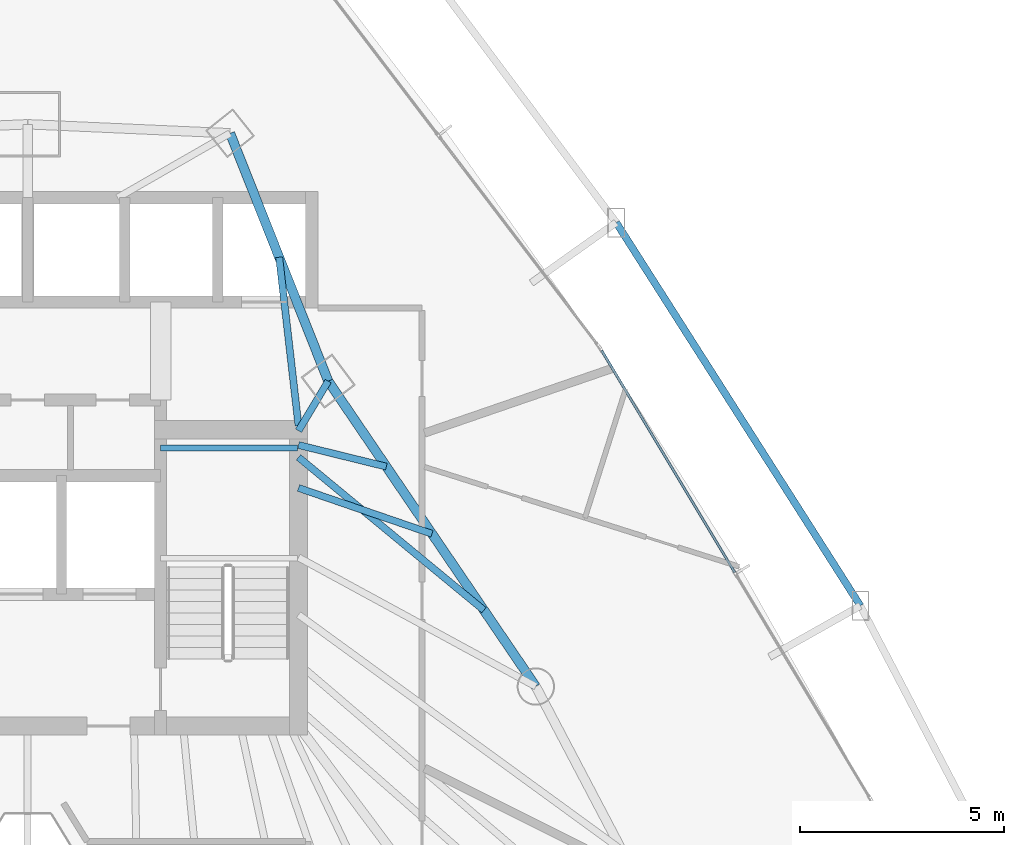
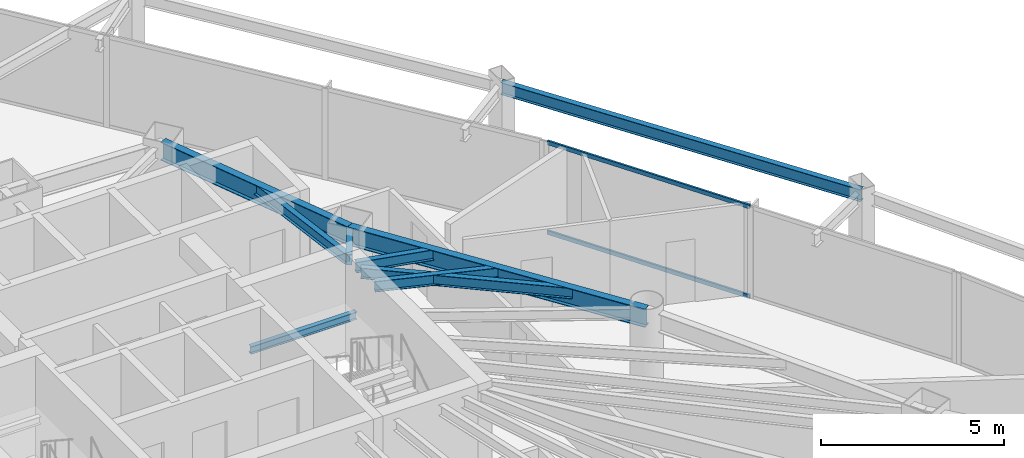
# One storey, part 26 of 35: 9 beams, 2 members, 1 element without a shape of its own.
"""IFC4 building model written with IfcOpenShell, lengths in metres."""

from ifc_helpers import new_model, si_unit, direction, frame, origin, origin_2d, place, context, subcontext, project, spatial, hollow_rectangle, i_section, extrude, material, layer, layer_set, material_profile, profile_set, type_object, element, aggregate, save


model = new_model("IFC4")

# Units and contexts
model_context = context("Model", 3, precision=1e-05, world=origin(), true_north=direction((0.0, 1.0)))
body_context = subcontext(model_context, "Body", "Model", "MODEL_VIEW")
ifc_project = project(units=[si_unit("LENGTHUNIT", "METRE"), si_unit("AREAUNIT", "SQUARE_METRE"), si_unit("VOLUMEUNIT", "CUBIC_METRE"), si_unit("PLANEANGLEUNIT", "RADIAN"), si_unit("MASSUNIT", "GRAM", prefix="KILO")], contexts=[model_context])

# Site, building, storey
site_placement = place(None, origin())
site = spatial("IfcSite", under=ifc_project, at=site_placement, CompositionType="ELEMENT")
building_placement = place(site_placement, origin())
building = spatial("IfcBuilding", under=site, at=building_placement, Name="Orvanel Arch Residences", CompositionType="ELEMENT")
storey_placement = place(building_placement, frame((0.0, 0.0, 36.800048828125)))
storey = spatial("IfcBuildingStorey", under=building, at=storey_placement, Name="L09", CompositionType="ELEMENT", Elevation=36.800048828125)

# Beams
ifc_material_1 = material(Name="Structural steel AS/NZS 3679.1 Grade 300 (300 MPa)", Category="steel")
ifc_material_profile_1 = material_profile(ifc_material_1, i_section(OverallWidth=0.14599609375, OverallDepth=0.251953125, WebThickness=0.006103515625, FlangeThickness=0.008544921875, at=origin_2d()), Name="250UB31.4")
ifc_profile_set_1 = profile_set([ifc_material_profile_1], Name="Structural steel AS/NZS 3679.1 Grade 300 (300 MPa)")
beam_type_1 = type_object("IfcBeamType", Name="BJ-250UB", PredefinedType="JOIST", material=ifc_profile_set_1)
beam_1_placement = place(storey_placement, frame((36.25, 33.47998046875, 1.323974609375), z_axis=(1.0, 0.0, 0.0), x_axis=(0.0, 1.0, 0.0)))
element("IfcBeam", 1, at=beam_1_placement, inside=storey, type_object=beam_type_1, Name="L09 ST-2 Half-Landing Support Beam 1.2", PredefinedType="JOIST", context=body_context, shape_type="SweptSolid", body=[
    extrude(i_section(OverallWidth=0.14599609375, OverallDepth=0.251953125, WebThickness=0.006103515625, FlangeThickness=0.008544921875, at=origin_2d()), origin(), (0.0, 0.0, 1.0), 3.35009765625),
])
ifc_material_profile_2 = material_profile(ifc_material_1, i_section(OverallWidth=0.1708984375, OverallDepth=0.35595703125, WebThickness=0.00732421875, FlangeThickness=0.011474609375, at=origin_2d()), Name="360UB50.7")
ifc_profile_set_2 = profile_set([ifc_material_profile_2], Name="Structural steel AS/NZS 3679.1 Grade 300 (300 MPa)")
beam_type_2 = type_object("IfcBeamType", Name="BJ-360UB", PredefinedType="JOIST", material=ifc_profile_set_2)
beam_2_placement = place(storey_placement, frame((39.625, 33.89990234375, 2.8818359375), z_axis=(0.514064138778, 0.857751748015, 0.0), x_axis=(-0.857751748015, 0.514064138778, 0.0)))
element("IfcBeam", 2, at=beam_2_placement, inside=storey, type_object=beam_type_2, Name="L09 NNE Wing Floor Joist", PredefinedType="JOIST", context=body_context, shape_type="SweptSolid", body=[
    extrude(i_section(OverallWidth=0.1708984375, OverallDepth=0.35595703125, WebThickness=0.00732421875, FlangeThickness=0.011474609375, at=origin_2d()), origin(), (0.0, 0.0, 1.0), 1.414306640625),
])
beam_3_placement = place(storey_placement, frame((39.625, 34.02001953125, 2.8818359375), z_axis=(-0.114186670431, 0.993459311847, 0.0), x_axis=(-0.993459311847, -0.114186670431, 0.0)))
element("IfcBeam", 3, at=beam_3_placement, inside=storey, type_object=beam_type_2, Name="L09 NNE2 Wing Floor Joist", PredefinedType="JOIST", context=body_context, shape_type="SweptSolid", body=[
    extrude(i_section(OverallWidth=0.1708984375, OverallDepth=0.35595703125, WebThickness=0.00732421875, FlangeThickness=0.011474609375, at=origin_2d()), origin(), (0.0, 0.0, 1.0), 4.152099609375),
])
beam_4_placement = place(storey_placement, frame((39.625, 32.5, 2.8818359375), z_axis=(0.945658073701, -0.325162740247, 0.0), x_axis=(0.325162740247, 0.945658073701, 0.0)))
element("IfcBeam", 4, at=beam_4_placement, inside=storey, type_object=beam_type_2, Name="L09 ENE Wing Floor Joist", PredefinedType="JOIST", context=body_context, shape_type="SweptSolid", body=[
    extrude(i_section(OverallWidth=0.1708984375, OverallDepth=0.35595703125, WebThickness=0.00732421875, FlangeThickness=0.011474609375, at=origin_2d()), origin(), (0.0, 0.0, 1.0), 3.453857421875),
])
beam_5_placement = place(storey_placement, frame((39.625, 33.25, 2.8818359375), z_axis=(0.771468562814, -0.636267441089, 0.0), x_axis=(0.636267441089, 0.771468562814, 0.0)))
element("IfcBeam", 5, at=beam_5_placement, inside=storey, type_object=beam_type_2, Name="L09 LE Wing Floor Joist", PredefinedType="JOIST", context=body_context, shape_type="SweptSolid", body=[
    extrude(i_section(OverallWidth=0.1708984375, OverallDepth=0.35595703125, WebThickness=0.00732421875, FlangeThickness=0.011474609375, at=origin_2d()), origin(), (0.0, 0.0, 1.0), 5.879638671875),
])
beam_6_placement = place(storey_placement, frame((39.625, 33.550048828125, 2.8818359375), z_axis=(0.971005818547, -0.239055851942, 0.0), x_axis=(0.239055851942, 0.971005818547, 0.0)))
element("IfcBeam", 6, at=beam_6_placement, inside=storey, type_object=beam_type_2, Name="L09 JADD4 Wing Floor Joist", PredefinedType="JOIST", context=body_context, shape_type="SweptSolid", body=[
    extrude(i_section(OverallWidth=0.1708984375, OverallDepth=0.35595703125, WebThickness=0.00732421875, FlangeThickness=0.011474609375, at=origin_2d()), origin(), (0.0, 0.0, 1.0), 2.213134765625),
])
ifc_material_profile_3 = material_profile(ifc_material_1, i_section(OverallWidth=0.177978515625, OverallDepth=0.406005859375, WebThickness=0.0078125, FlangeThickness=0.0126953125, at=origin_2d()), Name="410UB59.7")
ifc_profile_set_3 = profile_set([ifc_material_profile_3], Name="Structural steel AS/NZS 3679.1 Grade 300 (300 MPa)")
beam_type_3 = type_object("IfcBeamType", Name="OB-410UB-EXT", PredefinedType="SPANDREL", material=ifc_profile_set_3)
beam_7_placement = place(storey_placement, frame((53.37109375, 29.616943359375, 2.85693359375), z_axis=(-0.537298885152, 0.843391906538, 0.0), x_axis=(-0.843391906538, -0.537298885152, 0.0)))
element("IfcBeam", 7, at=beam_7_placement, inside=storey, type_object=beam_type_3, Name="L09 Outer Perimeter Floor Ring Beam 10", PredefinedType="SPANDREL", context=body_context, shape_type="SweptSolid", body=[
    extrude(i_section(OverallWidth=0.177978515625, OverallDepth=0.406005859375, WebThickness=0.0078125, FlangeThickness=0.0126953125, at=origin_2d()), origin(), (0.0, 0.0, 1.0), 11.116943359375),
])
ifc_material_profile_4 = material_profile(ifc_material_1, i_section(OverallWidth=0.22900390625, OverallDepth=0.612060546875, WebThickness=0.011962890625, FlangeThickness=0.01953125, at=origin_2d()), Name="610UB125")
ifc_profile_set_4 = profile_set([ifc_material_profile_4], Name="Structural steel AS/NZS 3679.1 Grade 300 (300 MPa)")
beam_type_4 = type_object("IfcBeamType", Name="SP-610UB", PredefinedType="SPANDREL", material=ifc_profile_set_4)
beam_8_placement = place(storey_placement, frame((45.430908203125, 27.64111328125, 2.75390625), z_axis=(-0.562154793153, 0.827032035978, 0.0), x_axis=(-0.827032035978, -0.562154793153, 0.0)))
element("IfcBeam", 8, at=beam_8_placement, inside=storey, type_object=beam_type_4, Name="L09 Perimeter Spandrel Beam 14", PredefinedType="SPANDREL", context=body_context, shape_type="SweptSolid", body=[
    extrude(i_section(OverallWidth=0.22900390625, OverallDepth=0.612060546875, WebThickness=0.011962890625, FlangeThickness=0.01953125, at=origin_2d()), origin(), (0.0, 0.0, 1.0), 9.03466796875),
])
beam_9_placement = place(storey_placement, frame((40.35205078125, 35.113037109375, 2.75390625), z_axis=(-0.368233143579, 0.929733484376, 0.0), x_axis=(-0.929733484376, -0.368233143579, 0.0)))
element("IfcBeam", 9, at=beam_9_placement, inside=storey, type_object=beam_type_4, Name="L09 Perimeter Spandrel Beam 15", PredefinedType="SPANDREL", context=body_context, shape_type="SweptSolid", body=[
    extrude(i_section(OverallWidth=0.22900390625, OverallDepth=0.612060546875, WebThickness=0.011962890625, FlangeThickness=0.01953125, at=origin_2d()), origin(), (0.0, 0.0, 1.0), 6.523193359375),
])

# Curtain wall, members
ifc_material_2 = material(Name="Bronze-anodised aluminium AA6063-T6", Category="aluminium")
ifc_layer = layer(ifc_material_2, 0.179931640625)
ifc_layer_set = layer_set([ifc_layer], Name="Bronze-anodised aluminium AA6063-T6")
curtain_wall_type = type_object("IfcCurtainWallType", Name="CW2-LOW-SYS", PredefinedType="NOTDEFINED", material=ifc_layer_set)
curtain_wall_placement = place(storey_placement, origin())
curtain_wall = element("IfcCurtainWall", 10, at=curtain_wall_placement, inside=storey, type_object=curtain_wall_type, Name="L09 CW2-LOW-SYS Unitised Curtain Wall", PredefinedType="NOTDEFINED")
ifc_material_profile_5 = material_profile(ifc_material_2, hollow_rectangle(XDim=0.06005859375, YDim=0.135009765625, WallThickness=0.00390625, at=origin_2d()), Name="ALU135x60x4")
ifc_profile_set_5 = profile_set([ifc_material_profile_5], Name="Bronze-anodised aluminium AA6063-T6")
member_type = type_object("IfcMemberType", Name="TRN-135x60", PredefinedType="USERDEFINED", material=ifc_profile_set_5)
member_1_placement = place(storey_placement, frame((50.29638671875, 30.43310546875, 0.030029296875), z_axis=(-0.514376760477, 0.857564311455, 0.0), x_axis=(-0.857564311455, -0.514376760477, 0.0)))
member_1 = element("IfcMember", 11, at=member_1_placement, type_object=member_type, Name="CW-S2 transom 2.1", ObjectType="TRANSOM", PredefinedType="USERDEFINED", context=body_context, shape_type="SweptSolid", body=[
    extrude(hollow_rectangle(XDim=0.06005859375, YDim=0.135009765625, WallThickness=0.00390625, at=origin_2d()), origin(), (0.0, 0.0, 1.0), 6.33642578125),
])
member_2_placement = place(storey_placement, frame((50.29638671875, 30.43310546875, 3.030029296875), z_axis=(-0.514376760477, 0.857564311455, 0.0), x_axis=(-0.857564311455, -0.514376760477, 0.0)))
member_2 = element("IfcMember", 12, at=member_2_placement, type_object=member_type, Name="CW-S2 transom 2.2", ObjectType="TRANSOM", PredefinedType="USERDEFINED", context=body_context, shape_type="SweptSolid", body=[
    extrude(hollow_rectangle(XDim=0.06005859375, YDim=0.135009765625, WallThickness=0.00390625, at=origin_2d()), origin(), (0.0, 0.0, 1.0), 6.33642578125),
])
aggregate(curtain_wall, [member_1, member_2])

save(model, "model.ifc")
